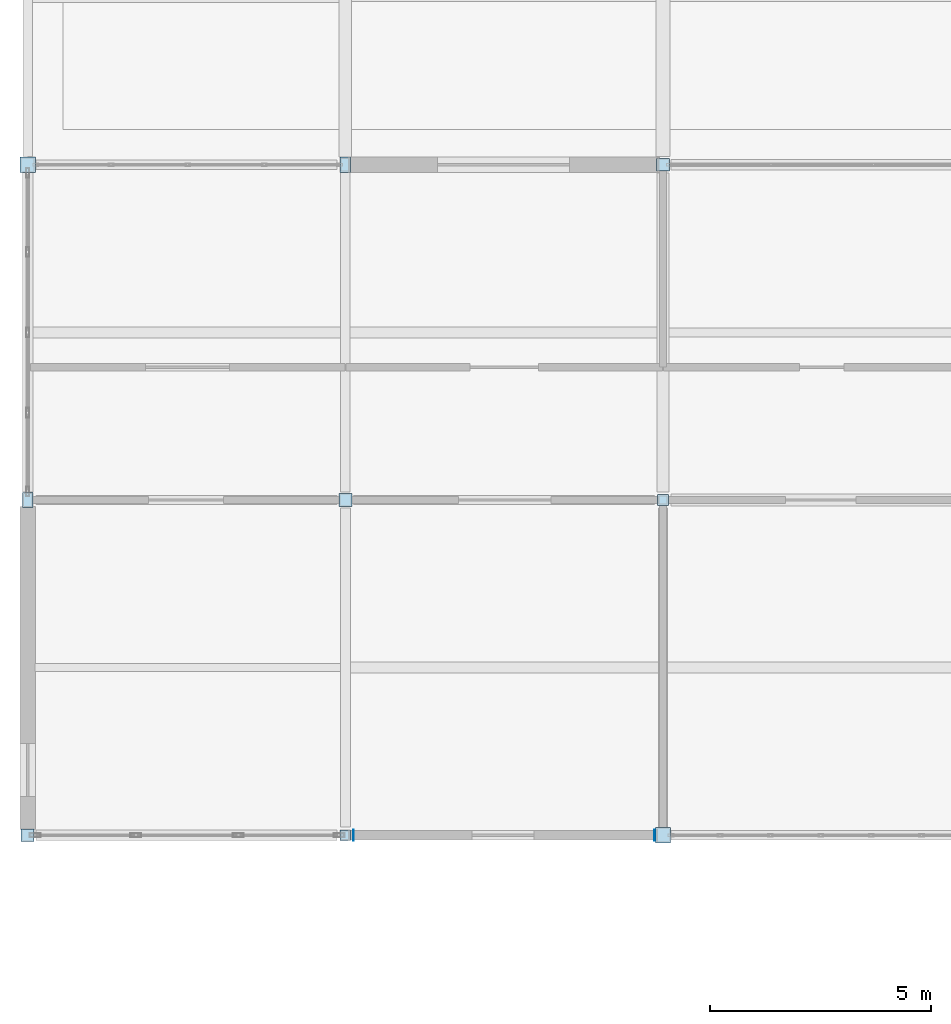
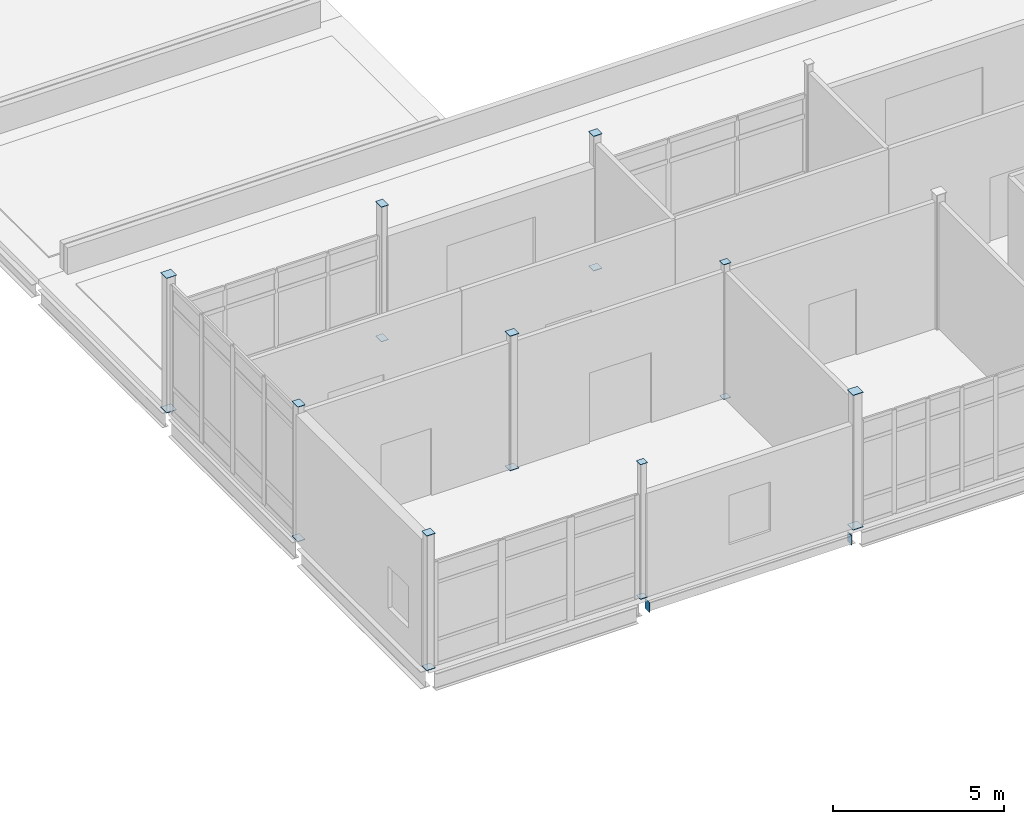
# One storey, part 136 of 186: 20 plates.
"""IFC4 building model written with IfcOpenShell, lengths in metres."""

from ifc_helpers import new_model, si_unit, direction, frame, origin, origin_2d, place, context, subcontext, project, spatial, rectangle, extrude, material, layer, layer_set, type_object, element, save


model = new_model("IFC4")

# Units and contexts
model_context = context("Model", 3, precision=1e-05, world=origin(), true_north=direction((0.0, 1.0)))
body_context = subcontext(model_context, "Body", "Model", "MODEL_VIEW")
ifc_project = project(units=[si_unit("LENGTHUNIT", "METRE"), si_unit("AREAUNIT", "SQUARE_METRE"), si_unit("VOLUMEUNIT", "CUBIC_METRE"), si_unit("PLANEANGLEUNIT", "RADIAN"), si_unit("MASSUNIT", "GRAM", prefix="KILO")], contexts=[model_context])

# Site, building, storey
site_placement = place(None, origin())
site = spatial("IfcSite", under=ifc_project, at=site_placement, CompositionType="ELEMENT")
building_placement = place(site_placement, origin())
building = spatial("IfcBuilding", under=site, at=building_placement, Name="Calvrana Isthmian Art Gallery", CompositionType="ELEMENT")
storey_placement = place(building_placement, frame((0.0, 0.0, 5.39990234375)))
storey = spatial("IfcBuildingStorey", under=building, at=storey_placement, Name="L01", CompositionType="ELEMENT", Elevation=5.39990234375)

# Plates
ifc_material = material(Name="Steel ASTM A572 Gr 50", Category="steel")
ifc_layer = layer(ifc_material, 0.01611328125, Name="Steel ASTM A572 Gr 50")
ifc_layer_set = layer_set([ifc_layer], Name="Steel ASTM A572 Gr 50")
plate_type = type_object("IfcPlateType", Name="PL-CAP-16", PredefinedType="SHEET", material=ifc_layer_set)
for number, where, z_axis, x_axis, name in (
    (1, (0.0, 46.800048828125, -0.008056640625), (0.0, 0.0, 1.0), (1.0, 0.0, 0.0), "Hollow section end cap plate 001"),
    (2, (0.0, 46.800048828125, 4.7919921875), (0.0, 0.0, 1.0), (1.0, 0.0, 0.0), "Hollow section end cap plate 002"),
):
    element("IfcPlate", number, at=place(storey_placement, frame(where, z_axis=z_axis, x_axis=x_axis)), inside=storey, type_object=plate_type, Name=name, PredefinedType="SHEET", context=body_context, shape_type="SweptSolid", body=[
        extrude(rectangle(XDim=0.2939453125, YDim=0.2939453125, at=origin_2d()), origin(), (0.0, 0.0, 1.0), 0.01611328125),
    ])
for number, where, z_axis, x_axis, name in (
    (3, (0.0, 54.39990234375, -0.008056640625), (0.0, 0.0, 1.0), (1.0, 0.0, 0.0), "Hollow section end cap plate 003"),
    (4, (0.0, 54.39990234375, 4.7919921875), (0.0, 0.0, 1.0), (1.0, 0.0, 0.0), "Hollow section end cap plate 004"),
):
    element("IfcPlate", number, at=place(storey_placement, frame(where, z_axis=z_axis, x_axis=x_axis)), inside=storey, type_object=plate_type, Name=name, PredefinedType="SHEET", context=body_context, shape_type="SweptSolid", body=[
        extrude(rectangle(XDim=0.2431640625, YDim=0.3447265625, at=origin_2d()), origin(), (0.0, 0.0, 1.0), 0.01611328125),
    ])
for number, where, z_axis, x_axis, name in (
    (5, (0.0, 62.0, -0.008056640625), (0.0, 0.0, 1.0), (1.0, 0.0, 0.0), "Hollow section end cap plate 005"),
    (6, (0.0, 62.0, 4.7919921875), (0.0, 0.0, 1.0), (1.0, 0.0, 0.0), "Hollow section end cap plate 006"),
):
    element("IfcPlate", number, at=place(storey_placement, frame(where, z_axis=z_axis, x_axis=x_axis)), inside=storey, type_object=plate_type, Name=name, PredefinedType="SHEET", context=body_context, shape_type="SweptSolid", body=[
        extrude(rectangle(XDim=0.3447265625, YDim=0.3447265625, at=origin_2d()), origin(), (0.0, 0.0, 1.0), 0.01611328125),
    ])
for number, where, z_axis, x_axis, name in (
    (7, (7.199951171875, 46.800048828125, -0.008056640625), (0.0, 0.0, 1.0), (1.0, 0.0, 0.0), "Hollow section end cap plate 009"),
    (8, (7.199951171875, 46.800048828125, 4.7919921875), (0.0, 0.0, 1.0), (1.0, 0.0, 0.0), "Hollow section end cap plate 010"),
):
    element("IfcPlate", number, at=place(storey_placement, frame(where, z_axis=z_axis, x_axis=x_axis)), inside=storey, type_object=plate_type, Name=name, PredefinedType="SHEET", context=body_context, shape_type="SweptSolid", body=[
        extrude(rectangle(XDim=0.2431640625, YDim=0.2431640625, at=origin_2d()), origin(), (0.0, 0.0, 1.0), 0.01611328125),
    ])
for number, where, z_axis, x_axis, name in (
    (9, (7.199951171875, 54.39990234375, -0.008056640625), (0.0, 0.0, 1.0), (1.0, 0.0, 0.0), "Hollow section end cap plate 011"),
    (10, (7.199951171875, 54.39990234375, 4.7919921875), (0.0, 0.0, 1.0), (1.0, 0.0, 0.0), "Hollow section end cap plate 012"),
):
    element("IfcPlate", number, at=place(storey_placement, frame(where, z_axis=z_axis, x_axis=x_axis)), inside=storey, type_object=plate_type, Name=name, PredefinedType="SHEET", context=body_context, shape_type="SweptSolid", body=[
        extrude(rectangle(XDim=0.2939453125, YDim=0.2939453125, at=origin_2d()), origin(), (0.0, 0.0, 1.0), 0.01611328125),
    ])
for number, where, z_axis, x_axis, name in (
    (11, (7.199951171875, 62.0, -0.008056640625), (0.0, 0.0, 1.0), (1.0, 0.0, 0.0), "Hollow section end cap plate 013"),
    (12, (7.199951171875, 62.0, 4.7919921875), (0.0, 0.0, 1.0), (1.0, 0.0, 0.0), "Hollow section end cap plate 014"),
):
    element("IfcPlate", number, at=place(storey_placement, frame(where, z_axis=z_axis, x_axis=x_axis)), inside=storey, type_object=plate_type, Name=name, PredefinedType="SHEET", context=body_context, shape_type="SweptSolid", body=[
        extrude(rectangle(XDim=0.2431640625, YDim=0.3447265625, at=origin_2d()), origin(), (0.0, 0.0, 1.0), 0.01611328125),
    ])
for number, where, z_axis, x_axis, name in (
    (13, (14.39990234375, 46.800048828125, -0.008056640625), (0.0, 0.0, 1.0), (1.0, 0.0, 0.0), "Hollow section end cap plate 017"),
    (14, (14.39990234375, 46.800048828125, 4.7919921875), (0.0, 0.0, 1.0), (1.0, 0.0, 0.0), "Hollow section end cap plate 018"),
):
    element("IfcPlate", number, at=place(storey_placement, frame(where, z_axis=z_axis, x_axis=x_axis)), inside=storey, type_object=plate_type, Name=name, PredefinedType="SHEET", context=body_context, shape_type="SweptSolid", body=[
        extrude(rectangle(XDim=0.3447265625, YDim=0.3447265625, at=origin_2d()), origin(), (0.0, 0.0, 1.0), 0.01611328125),
    ])
for number, where, z_axis, x_axis, name in (
    (15, (14.39990234375, 54.39990234375, -0.008056640625), (0.0, 0.0, 1.0), (1.0, 0.0, 0.0), "Hollow section end cap plate 019"),
    (16, (14.39990234375, 54.39990234375, 4.7919921875), (0.0, 0.0, 1.0), (1.0, 0.0, 0.0), "Hollow section end cap plate 020"),
):
    element("IfcPlate", number, at=place(storey_placement, frame(where, z_axis=z_axis, x_axis=x_axis)), inside=storey, type_object=plate_type, Name=name, PredefinedType="SHEET", context=body_context, shape_type="SweptSolid", body=[
        extrude(rectangle(XDim=0.2431640625, YDim=0.2431640625, at=origin_2d()), origin(), (0.0, 0.0, 1.0), 0.01611328125),
    ])
for number, where, z_axis, x_axis, name in (
    (17, (14.39990234375, 62.0, -0.008056640625), (0.0, 0.0, 1.0), (1.0, 0.0, 0.0), "Hollow section end cap plate 021"),
    (18, (14.39990234375, 62.0, 4.7919921875), (0.0, 0.0, 1.0), (1.0, 0.0, 0.0), "Hollow section end cap plate 022"),
):
    element("IfcPlate", number, at=place(storey_placement, frame(where, z_axis=z_axis, x_axis=x_axis)), inside=storey, type_object=plate_type, Name=name, PredefinedType="SHEET", context=body_context, shape_type="SweptSolid", body=[
        extrude(rectangle(XDim=0.2939453125, YDim=0.2939453125, at=origin_2d()), origin(), (0.0, 0.0, 1.0), 0.01611328125),
    ])
for number, where, z_axis, x_axis, name in (
    (19, (7.386474609375, 46.800048828125, -0.569580078125), (0.0, 0.0, 1.0), (1.0, 0.0, 0.0), "Hollow section end cap plate 417"),
    (20, (14.214599609375, 46.800048828125, -0.569580078125), (0.0, 0.0, 1.0), (1.0, 0.0, 0.0), "Hollow section end cap plate 418"),
):
    element("IfcPlate", number, at=place(storey_placement, frame(where, z_axis=z_axis, x_axis=x_axis)), inside=storey, type_object=plate_type, Name=name, PredefinedType="SHEET", context=body_context, shape_type="SweptSolid", body=[
        extrude(rectangle(XDim=0.01611328125, YDim=0.2431640625, at=origin_2d()), origin(), (0.0, 0.0, 1.0), 0.3447265625),
    ])

save(model, "model.ifc")
